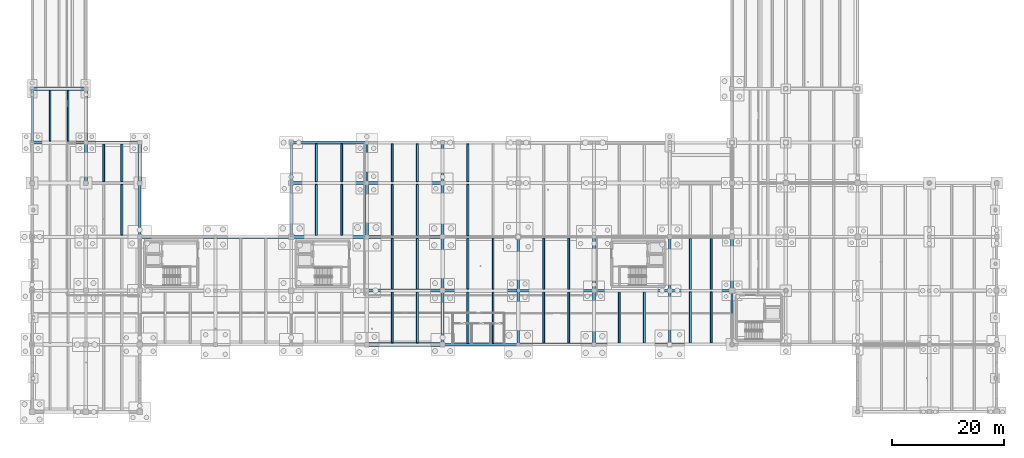
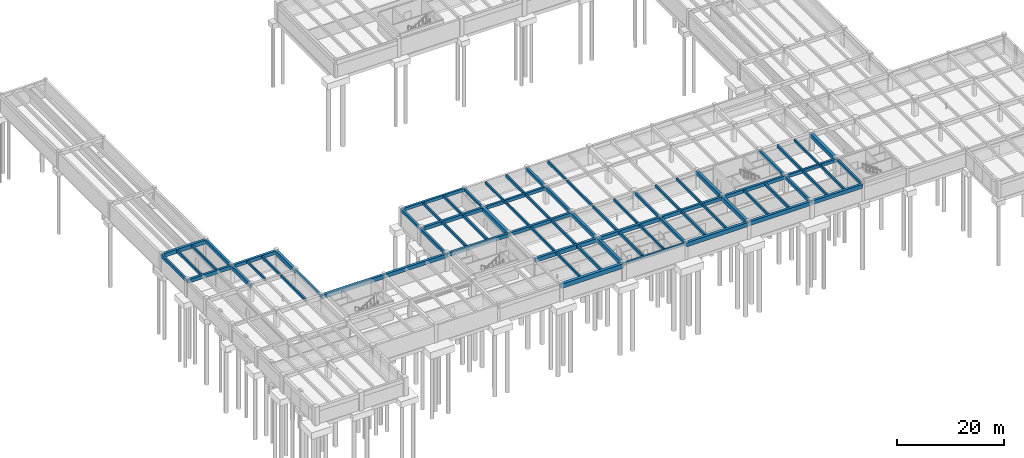
# One storey, part 10 of 41: 74 beams.
"""IFC4 building model written with IfcOpenShell, lengths in metres."""

from ifc_helpers import new_model, si_unit, direction, frame, origin, origin_2d, place, context, subcontext, project, spatial, rectangle, extrude, material, material_profile, profile_set, type_object, element, save


model = new_model("IFC4")

# Units and contexts
model_context = context("Model", 3, precision=1e-05, world=origin(), true_north=direction((0.0, 1.0)))
body_context = subcontext(model_context, "Body", "Model", "MODEL_VIEW")
ifc_project = project(units=[si_unit("LENGTHUNIT", "METRE"), si_unit("AREAUNIT", "SQUARE_METRE"), si_unit("VOLUMEUNIT", "CUBIC_METRE"), si_unit("PLANEANGLEUNIT", "RADIAN"), si_unit("MASSUNIT", "GRAM", prefix="KILO")], contexts=[model_context])

# Site, building, storey
site_placement = place(None, origin())
site = spatial("IfcSite", under=ifc_project, at=site_placement, CompositionType="ELEMENT")
building_placement = place(site_placement, origin())
building = spatial("IfcBuilding", under=site, at=building_placement, Name="Fikremerkos Civic Library", CompositionType="ELEMENT")
storey_placement = place(building_placement, frame((0.0, 0.0, -8.39990234375)))
storey = spatial("IfcBuildingStorey", under=building, at=storey_placement, Name="B02", CompositionType="ELEMENT", Elevation=-8.39990234375)

# Beams
ifc_material_1 = material(Name="Concrete C40/50", Category="concrete")
ifc_material_profile_1 = material_profile(ifc_material_1, rectangle(XDim=0.35009765625, YDim=0.60009765625, at=origin_2d()), Name="RC 350x600")
ifc_profile_set_1 = profile_set([ifc_material_profile_1], Name="Concrete C40/50")
beam_type_1 = type_object("IfcBeamType", Name="Floor joist JS-01 RC 350x600", PredefinedType="JOIST", material=ifc_profile_set_1)
beam_1_placement = place(storey_placement, frame((3.199951171875, 48.25, 3.599853515625), z_axis=(0.0, 1.0, 0.0), x_axis=(-1.0, 0.0, 0.0)))
element("IfcBeam", 1, at=beam_1_placement, inside=storey, type_object=beam_type_1, Name="Floor joist JS-01 B02 #11", PredefinedType="JOIST", context=body_context, shape_type="SweptSolid", body=[
    extrude(rectangle(XDim=0.35009765625, YDim=0.60009765625, at=origin_2d()), origin(), (0.0, 0.0, 1.0), 9.074951171875),
])
beam_2_placement = place(storey_placement, frame((16.0, 31.5, 3.559814453125), z_axis=(0.0, 1.0, 0.0), x_axis=(-1.0, 0.0, 0.0)))
element("IfcBeam", 2, at=beam_2_placement, inside=storey, type_object=beam_type_1, Name="Floor joist JS-01 B02 #29", PredefinedType="JOIST", context=body_context, shape_type="SweptSolid", body=[
    extrude(rectangle(XDim=0.35009765625, YDim=0.60009765625, at=origin_2d()), origin(), (0.0, 0.0, 1.0), 9.050048828125),
])
beam_3_placement = place(storey_placement, frame((16.0, 41.050048828125, 3.559814453125), z_axis=(0.0, 1.0, 0.0), x_axis=(-1.0, 0.0, 0.0)))
element("IfcBeam", 3, at=beam_3_placement, inside=storey, type_object=beam_type_1, Name="Floor joist JS-01 B02 #31", PredefinedType="JOIST", context=body_context, shape_type="SweptSolid", body=[
    extrude(rectangle(XDim=0.35009765625, YDim=0.60009765625, at=origin_2d()), origin(), (0.0, 0.0, 1.0), 6.699951171875),
])
beam_4_placement = place(storey_placement, frame((55.199951171875, 31.449951171875, 3.579833984375), z_axis=(0.0, 1.0, 0.0), x_axis=(-1.0, 0.0, 0.0)))
element("IfcBeam", 4, at=beam_4_placement, inside=storey, type_object=beam_type_1, Name="Floor joist JS-01 B02 #41", PredefinedType="JOIST", context=body_context, shape_type="SweptSolid", body=[
    extrude(rectangle(XDim=0.35009765625, YDim=0.60009765625, at=origin_2d()), origin(), (0.0, 0.0, 1.0), 9.10009765625),
])
beam_5_placement = place(storey_placement, frame((55.199951171875, 41.050048828125, 3.579833984375), z_axis=(0.0, 1.0, 0.0), x_axis=(-1.0, 0.0, 0.0)))
element("IfcBeam", 5, at=beam_5_placement, inside=storey, type_object=beam_type_1, Name="Floor joist JS-01 B02 #43", PredefinedType="JOIST", context=body_context, shape_type="SweptSolid", body=[
    extrude(rectangle(XDim=0.35009765625, YDim=0.60009765625, at=origin_2d()), origin(), (0.0, 0.0, 1.0), 6.724853515625),
])
beam_6_placement = place(storey_placement, frame((68.699951171875, 12.324951171875, 3.559814453125), z_axis=(0.0, 1.0, 0.0), x_axis=(-1.0, 0.0, 0.0)))
element("IfcBeam", 6, at=beam_6_placement, inside=storey, type_object=beam_type_1, Name="Floor joist JS-01 B02 #45", PredefinedType="JOIST", context=body_context, shape_type="SweptSolid", body=[
    extrude(rectangle(XDim=0.35009765625, YDim=0.60009765625, at=origin_2d()), origin(), (0.0, 0.0, 1.0), 9.0),
])
beam_7_placement = place(storey_placement, frame((68.699951171875, 21.875, 3.559814453125), z_axis=(0.0, 1.0, 0.0), x_axis=(-1.0, 0.0, 0.0)))
element("IfcBeam", 7, at=beam_7_placement, inside=storey, type_object=beam_type_1, Name="Floor joist JS-01 B02 #47", PredefinedType="JOIST", context=body_context, shape_type="SweptSolid", body=[
    extrude(rectangle(XDim=0.35009765625, YDim=0.60009765625, at=origin_2d()), origin(), (0.0, 0.0, 1.0), 9.074951171875),
])
beam_8_placement = place(storey_placement, frame((68.699951171875, 31.449951171875, 3.579833984375), z_axis=(0.0, 1.0, 0.0), x_axis=(-1.0, 0.0, 0.0)))
element("IfcBeam", 8, at=beam_8_placement, inside=storey, type_object=beam_type_1, Name="Floor joist JS-01 B02 #49", PredefinedType="JOIST", context=body_context, shape_type="SweptSolid", body=[
    extrude(rectangle(XDim=0.35009765625, YDim=0.60009765625, at=origin_2d()), origin(), (0.0, 0.0, 1.0), 9.125),
])
beam_9_placement = place(storey_placement, frame((68.699951171875, 41.02490234375, 3.579833984375), z_axis=(0.0, 1.0, 0.0), x_axis=(-1.0, 0.0, 0.0)))
element("IfcBeam", 9, at=beam_9_placement, inside=storey, type_object=beam_type_1, Name="Floor joist JS-01 B02 #51", PredefinedType="JOIST", context=body_context, shape_type="SweptSolid", body=[
    extrude(rectangle(XDim=0.35009765625, YDim=0.60009765625, at=origin_2d()), origin(), (0.0, 0.0, 1.0), 6.75),
])
beam_10_placement = place(storey_placement, frame((77.699951171875, 12.199951171875, 3.559814453125), z_axis=(0.0, 1.0, 0.0), x_axis=(-1.0, 0.0, 0.0)))
element("IfcBeam", 10, at=beam_10_placement, inside=storey, type_object=beam_type_1, Name="Floor joist JS-01 B02 #55", PredefinedType="JOIST", context=body_context, shape_type="SweptSolid", body=[
    extrude(rectangle(XDim=0.35009765625, YDim=0.60009765625, at=origin_2d()), origin(), (0.0, 0.0, 1.0), 9.125),
])
beam_11_placement = place(storey_placement, frame((77.699951171875, 21.875, 3.559814453125), z_axis=(0.0, 1.0, 0.0), x_axis=(-1.0, 0.0, 0.0)))
element("IfcBeam", 11, at=beam_11_placement, inside=storey, type_object=beam_type_1, Name="Floor joist JS-01 B02 #57", PredefinedType="JOIST", context=body_context, shape_type="SweptSolid", body=[
    extrude(rectangle(XDim=0.35009765625, YDim=0.60009765625, at=origin_2d()), origin(), (0.0, 0.0, 1.0), 9.10009765625),
])
beam_12_placement = place(storey_placement, frame((77.699951171875, 31.425048828125, 3.579833984375), z_axis=(0.0, 1.0, 0.0), x_axis=(-1.0, 0.0, 0.0)))
element("IfcBeam", 12, at=beam_12_placement, inside=storey, type_object=beam_type_1, Name="Floor joist JS-01 B02 #59", PredefinedType="JOIST", context=body_context, shape_type="SweptSolid", body=[
    extrude(rectangle(XDim=0.35009765625, YDim=0.60009765625, at=origin_2d()), origin(), (0.0, 0.0, 1.0), 9.14990234375),
])
beam_13_placement = place(storey_placement, frame((77.699951171875, 41.02490234375, 3.579833984375), z_axis=(0.0, 1.0, 0.0), x_axis=(-1.0, 0.0, 0.0)))
element("IfcBeam", 13, at=beam_13_placement, inside=storey, type_object=beam_type_1, Name="Floor joist JS-01 B02 #61", PredefinedType="JOIST", context=body_context, shape_type="SweptSolid", body=[
    extrude(rectangle(XDim=0.35009765625, YDim=0.60009765625, at=origin_2d()), origin(), (0.0, 0.0, 1.0), 6.775146484375),
])
beam_14_placement = place(storey_placement, frame((91.199951171875, 12.300048828125, 3.559814453125), z_axis=(0.0, 1.0, 0.0), x_axis=(-1.0, 0.0, 0.0)))
element("IfcBeam", 14, at=beam_14_placement, inside=storey, type_object=beam_type_1, Name="Floor joist JS-01 B02 #63", PredefinedType="JOIST", context=body_context, shape_type="SweptSolid", body=[
    extrude(rectangle(XDim=0.35009765625, YDim=0.60009765625, at=origin_2d()), origin(), (0.0, 0.0, 1.0), 9.050048828125),
])
beam_15_placement = place(storey_placement, frame((91.199951171875, 21.85009765625, 3.559814453125), z_axis=(0.0, 1.0, 0.0), x_axis=(-1.0, 0.0, 0.0)))
element("IfcBeam", 15, at=beam_15_placement, inside=storey, type_object=beam_type_1, Name="Floor joist JS-01 B02 #65", PredefinedType="JOIST", context=body_context, shape_type="SweptSolid", body=[
    extrude(rectangle(XDim=0.35009765625, YDim=0.60009765625, at=origin_2d()), origin(), (0.0, 0.0, 1.0), 9.125),
])
beam_16_placement = place(storey_placement, frame((109.199951171875, 12.27490234375, 3.559814453125), z_axis=(0.0, 1.0, 0.0), x_axis=(-1.0, 0.0, 0.0)))
element("IfcBeam", 16, at=beam_16_placement, inside=storey, type_object=beam_type_1, Name="Floor joist JS-01 B02 #75", PredefinedType="JOIST", context=body_context, shape_type="SweptSolid", body=[
    extrude(rectangle(XDim=0.35009765625, YDim=0.60009765625, at=origin_2d()), origin(), (0.0, 0.0, 1.0), 9.0751953125),
])
beam_17_placement = place(storey_placement, frame((117.39990234375, 12.27490234375, 3.559814453125), z_axis=(0.0, 1.0, 0.0), x_axis=(-1.0, 0.0, 0.0)))
element("IfcBeam", 17, at=beam_17_placement, inside=storey, type_object=beam_type_1, Name="Floor joist JS-01 B02 #83", PredefinedType="JOIST", context=body_context, shape_type="SweptSolid", body=[
    extrude(rectangle(XDim=0.35009765625, YDim=0.60009765625, at=origin_2d()), origin(), (0.0, 0.0, 1.0), 9.10009765625),
])
beam_18_placement = place(storey_placement, frame((117.39990234375, 21.824951171875, 3.559814453125), z_axis=(0.0, 1.0, 0.0), x_axis=(-1.0, 0.0, 0.0)))
element("IfcBeam", 18, at=beam_18_placement, inside=storey, type_object=beam_type_1, Name="Floor joist JS-01 B02 #85", PredefinedType="JOIST", context=body_context, shape_type="SweptSolid", body=[
    extrude(rectangle(XDim=0.35009765625, YDim=0.60009765625, at=origin_2d()), origin(), (0.0, 0.0, 1.0), 9.074951171875),
])
ifc_material_profile_2 = material_profile(ifc_material_1, rectangle(XDim=0.320068359375, YDim=0.550048828125, at=origin_2d()), Name="RC 320x550")
ifc_profile_set_2 = profile_set([ifc_material_profile_2], Name="Concrete C40/50")
beam_type_2 = type_object("IfcBeamType", Name="Floor joist JS-02 RC 320x550", PredefinedType="JOIST", material=ifc_profile_set_2)
beam_19_placement = place(storey_placement, frame((6.39990234375, 48.25, 3.625), z_axis=(0.0, 1.0, 0.0), x_axis=(-1.0, 0.0, 0.0)))
element("IfcBeam", 19, at=beam_19_placement, inside=storey, type_object=beam_type_2, Name="Floor joist JS-02 B02 #12", PredefinedType="JOIST", context=body_context, shape_type="SweptSolid", body=[
    extrude(rectangle(XDim=0.320068359375, YDim=0.550048828125, at=origin_2d()), origin(), (0.0, 0.0, 1.0), 9.074951171875),
])
beam_20_placement = place(storey_placement, frame((12.800048828125, 41.050048828125, 3.5849609375), z_axis=(0.0, 1.0, 0.0), x_axis=(-1.0, 0.0, 0.0)))
element("IfcBeam", 20, at=beam_20_placement, inside=storey, type_object=beam_type_2, Name="Floor joist JS-02 B02 #30", PredefinedType="JOIST", context=body_context, shape_type="SweptSolid", body=[
    extrude(rectangle(XDim=0.320068359375, YDim=0.550048828125, at=origin_2d()), origin(), (0.0, 0.0, 1.0), 6.699951171875),
])
beam_21_placement = place(storey_placement, frame((50.699951171875, 31.449951171875, 3.60498046875), z_axis=(0.0, 1.0, 0.0), x_axis=(-1.0, 0.0, 0.0)))
element("IfcBeam", 21, at=beam_21_placement, inside=storey, type_object=beam_type_2, Name="Floor joist JS-02 B02 #40", PredefinedType="JOIST", context=body_context, shape_type="SweptSolid", body=[
    extrude(rectangle(XDim=0.320068359375, YDim=0.550048828125, at=origin_2d()), origin(), (0.0, 0.0, 1.0), 9.10009765625),
])
beam_22_placement = place(storey_placement, frame((50.699951171875, 41.050048828125, 3.60498046875), z_axis=(0.0, 1.0, 0.0), x_axis=(-1.0, 0.0, 0.0)))
element("IfcBeam", 22, at=beam_22_placement, inside=storey, type_object=beam_type_2, Name="Floor joist JS-02 B02 #42", PredefinedType="JOIST", context=body_context, shape_type="SweptSolid", body=[
    extrude(rectangle(XDim=0.320068359375, YDim=0.550048828125, at=origin_2d()), origin(), (0.0, 0.0, 1.0), 6.724853515625),
])
beam_23_placement = place(storey_placement, frame((64.199951171875, 12.324951171875, 3.5849609375), z_axis=(0.0, 1.0, 0.0), x_axis=(-1.0, 0.0, 0.0)))
element("IfcBeam", 23, at=beam_23_placement, inside=storey, type_object=beam_type_2, Name="Floor joist JS-02 B02 #44", PredefinedType="JOIST", context=body_context, shape_type="SweptSolid", body=[
    extrude(rectangle(XDim=0.320068359375, YDim=0.550048828125, at=origin_2d()), origin(), (0.0, 0.0, 1.0), 9.0),
])
beam_24_placement = place(storey_placement, frame((64.199951171875, 21.875, 3.5849609375), z_axis=(0.0, 1.0, 0.0), x_axis=(-1.0, 0.0, 0.0)))
element("IfcBeam", 24, at=beam_24_placement, inside=storey, type_object=beam_type_2, Name="Floor joist JS-02 B02 #46", PredefinedType="JOIST", context=body_context, shape_type="SweptSolid", body=[
    extrude(rectangle(XDim=0.320068359375, YDim=0.550048828125, at=origin_2d()), origin(), (0.0, 0.0, 1.0), 9.074951171875),
])
beam_25_placement = place(storey_placement, frame((64.199951171875, 31.449951171875, 3.60498046875), z_axis=(0.0, 1.0, 0.0), x_axis=(-1.0, 0.0, 0.0)))
element("IfcBeam", 25, at=beam_25_placement, inside=storey, type_object=beam_type_2, Name="Floor joist JS-02 B02 #48", PredefinedType="JOIST", context=body_context, shape_type="SweptSolid", body=[
    extrude(rectangle(XDim=0.320068359375, YDim=0.550048828125, at=origin_2d()), origin(), (0.0, 0.0, 1.0), 9.125),
])
beam_26_placement = place(storey_placement, frame((64.199951171875, 41.02490234375, 3.60498046875), z_axis=(0.0, 1.0, 0.0), x_axis=(-1.0, 0.0, 0.0)))
element("IfcBeam", 26, at=beam_26_placement, inside=storey, type_object=beam_type_2, Name="Floor joist JS-02 B02 #50", PredefinedType="JOIST", context=body_context, shape_type="SweptSolid", body=[
    extrude(rectangle(XDim=0.320068359375, YDim=0.550048828125, at=origin_2d()), origin(), (0.0, 0.0, 1.0), 6.75),
])
beam_27_placement = place(storey_placement, frame((82.199951171875, 12.199951171875, 3.5849609375), z_axis=(0.0, 1.0, 0.0), x_axis=(-1.0, 0.0, 0.0)))
element("IfcBeam", 27, at=beam_27_placement, inside=storey, type_object=beam_type_2, Name="Floor joist JS-02 B02 #56", PredefinedType="JOIST", context=body_context, shape_type="SweptSolid", body=[
    extrude(rectangle(XDim=0.320068359375, YDim=0.550048828125, at=origin_2d()), origin(), (0.0, 0.0, 1.0), 9.125),
])
beam_28_placement = place(storey_placement, frame((82.199951171875, 21.875, 3.5849609375), z_axis=(0.0, 1.0, 0.0), x_axis=(-1.0, 0.0, 0.0)))
element("IfcBeam", 28, at=beam_28_placement, inside=storey, type_object=beam_type_2, Name="Floor joist JS-02 B02 #58", PredefinedType="JOIST", context=body_context, shape_type="SweptSolid", body=[
    extrude(rectangle(XDim=0.320068359375, YDim=0.550048828125, at=origin_2d()), origin(), (0.0, 0.0, 1.0), 9.10009765625),
])
beam_29_placement = place(storey_placement, frame((95.699951171875, 12.300048828125, 3.5849609375), z_axis=(0.0, 1.0, 0.0), x_axis=(-1.0, 0.0, 0.0)))
element("IfcBeam", 29, at=beam_29_placement, inside=storey, type_object=beam_type_2, Name="Floor joist JS-02 B02 #64", PredefinedType="JOIST", context=body_context, shape_type="SweptSolid", body=[
    extrude(rectangle(XDim=0.320068359375, YDim=0.550048828125, at=origin_2d()), origin(), (0.0, 0.0, 1.0), 9.050048828125),
])
beam_30_placement = place(storey_placement, frame((95.699951171875, 21.85009765625, 3.5849609375), z_axis=(0.0, 1.0, 0.0), x_axis=(-1.0, 0.0, 0.0)))
element("IfcBeam", 30, at=beam_30_placement, inside=storey, type_object=beam_type_2, Name="Floor joist JS-02 B02 #66", PredefinedType="JOIST", context=body_context, shape_type="SweptSolid", body=[
    extrude(rectangle(XDim=0.320068359375, YDim=0.550048828125, at=origin_2d()), origin(), (0.0, 0.0, 1.0), 9.125),
])
beam_31_placement = place(storey_placement, frame((104.699951171875, 12.27490234375, 3.5849609375), z_axis=(0.0, 1.0, 0.0), x_axis=(-1.0, 0.0, 0.0)))
element("IfcBeam", 31, at=beam_31_placement, inside=storey, type_object=beam_type_2, Name="Floor joist JS-02 B02 #74", PredefinedType="JOIST", context=body_context, shape_type="SweptSolid", body=[
    extrude(rectangle(XDim=0.320068359375, YDim=0.550048828125, at=origin_2d()), origin(), (0.0, 0.0, 1.0), 9.0751953125),
])
beam_32_placement = place(storey_placement, frame((121.10009765625, 12.27490234375, 3.5849609375), z_axis=(0.0, 1.0, 0.0), x_axis=(-1.0, 0.0, 0.0)))
element("IfcBeam", 32, at=beam_32_placement, inside=storey, type_object=beam_type_2, Name="Floor joist JS-02 B02 #84", PredefinedType="JOIST", context=body_context, shape_type="SweptSolid", body=[
    extrude(rectangle(XDim=0.320068359375, YDim=0.550048828125, at=origin_2d()), origin(), (0.0, 0.0, 1.0), 9.10009765625),
])
beam_33_placement = place(storey_placement, frame((121.10009765625, 21.824951171875, 3.5849609375), z_axis=(0.0, 1.0, 0.0), x_axis=(-1.0, 0.0, 0.0)))
element("IfcBeam", 33, at=beam_33_placement, inside=storey, type_object=beam_type_2, Name="Floor joist JS-02 B02 #86", PredefinedType="JOIST", context=body_context, shape_type="SweptSolid", body=[
    extrude(rectangle(XDim=0.320068359375, YDim=0.550048828125, at=origin_2d()), origin(), (0.0, 0.0, 1.0), 9.074951171875),
])
ifc_material_profile_3 = material_profile(ifc_material_1, rectangle(XDim=0.60009765625, YDim=0.949951171875, at=origin_2d()), Name="RC 600x950")
ifc_profile_set_3 = profile_set([ifc_material_profile_3], Name="Concrete C40/50")
beam_type_3 = type_object("IfcBeamType", Name="Primary girder BM-01 RC 600x950", PredefinedType="BEAM", material=ifc_profile_set_3)
beam_34_placement = place(storey_placement, frame((86.699951171875, 12.0, 3.385009765625), z_axis=(1.0, 0.0, 0.0), x_axis=(0.0, 1.0, 0.0)))
element("IfcBeam", 34, at=beam_34_placement, inside=storey, type_object=beam_type_3, Name="Primary girder BM-01 B02 grid E", PredefinedType="BEAM", context=body_context, shape_type="SweptSolid", body=[
    extrude(rectangle(XDim=0.60009765625, YDim=0.949951171875, at=origin_2d()), origin(), (0.0, 0.0, 1.0), 13.5),
])
beam_35_placement = place(storey_placement, frame((19.199951171875, 40.800048828125, 3.385009765625), z_axis=(0.0, 1.0, 0.0), x_axis=(-1.0, 0.0, 0.0)))
element("IfcBeam", 35, at=beam_35_placement, inside=storey, type_object=beam_type_3, Name="Primary girder BM-01 B02 grid 3", PredefinedType="BEAM", context=body_context, shape_type="SweptSolid", body=[
    extrude(rectangle(XDim=0.60009765625, YDim=0.949951171875, at=origin_2d()), origin(), (0.0, 0.0, 1.0), 7.199951171875),
])
beam_36_placement = place(storey_placement, frame((100.199951171875, 12.0, 3.385009765625), z_axis=(0.0, 1.0, 0.0), x_axis=(-1.0, 0.0, 0.0)))
element("IfcBeam", 36, at=beam_36_placement, inside=storey, type_object=beam_type_3, Name="Primary girder BM-01 B02 grid 9", PredefinedType="BEAM", context=body_context, shape_type="SweptSolid", body=[
    extrude(rectangle(XDim=0.60009765625, YDim=0.949951171875, at=origin_2d()), origin(), (0.0, 0.0, 1.0), 9.60009765625),
])
beam_37_placement = place(storey_placement, frame((124.800048828125, 21.60009765625, 3.385009765625), z_axis=(0.0, 1.0, 0.0), x_axis=(-1.0, 0.0, 0.0)))
element("IfcBeam", 37, at=beam_37_placement, inside=storey, type_object=beam_type_3, Name="Primary girder BM-01 B02 grid 11", PredefinedType="BEAM", context=body_context, shape_type="SweptSolid", body=[
    extrude(rectangle(XDim=0.60009765625, YDim=0.949951171875, at=origin_2d()), origin(), (0.0, 0.0, 1.0), 9.599853515625),
])
ifc_material_profile_4 = material_profile(ifc_material_1, rectangle(XDim=0.550048828125, YDim=0.89990234375, at=origin_2d()), Name="RC 550x900")
ifc_profile_set_4 = profile_set([ifc_material_profile_4], Name="Concrete C40/50")
beam_type_4 = type_object("IfcBeamType", Name="Primary girder BM-02 RC 550x900", PredefinedType="BEAM", material=ifc_profile_set_4)
for number, where, z_axis, x_axis, name in (
    (38, (100.199951171875, 12.0, 3.409912109375), (1.0, 0.0, 0.0), (0.0, 1.0, 0.0), "Primary girder BM-02 B02 grid E"),
    (39, (59.699951171875, 21.60009765625, 3.409912109375), (1.0, 0.0, 0.0), (0.0, 1.0, 0.0), "Primary girder BM-02 B02 grid F"),
    (40, (19.199951171875, 31.199951171875, 3.409912109375), (1.0, 0.0, 0.0), (0.0, 1.0, 0.0), "Primary girder BM-02 B02 grid G"),
):
    element("IfcBeam", number, at=place(storey_placement, frame(where, z_axis=z_axis, x_axis=x_axis)), inside=storey, type_object=beam_type_4, Name=name, PredefinedType="BEAM", context=body_context, shape_type="SweptSolid", body=[
        extrude(rectangle(XDim=0.550048828125, YDim=0.89990234375, at=origin_2d()), origin(), (0.0, 0.0, 1.0), 13.5),
    ])
beam_38_placement = place(storey_placement, frame((73.199951171875, 12.0, 3.409912109375), z_axis=(0.0, 1.0, 0.0), x_axis=(-1.0, 0.0, 0.0)))
element("IfcBeam", 41, at=beam_38_placement, inside=storey, type_object=beam_type_4, Name="Primary girder BM-02 B02 grid 7", PredefinedType="BEAM", context=body_context, shape_type="SweptSolid", body=[
    extrude(rectangle(XDim=0.550048828125, YDim=0.89990234375, at=origin_2d()), origin(), (0.0, 0.0, 1.0), 9.60009765625),
])
beam_39_placement = place(storey_placement, frame((100.199951171875, 21.60009765625, 3.409912109375), z_axis=(0.0, 1.0, 0.0), x_axis=(-1.0, 0.0, 0.0)))
element("IfcBeam", 42, at=beam_39_placement, inside=storey, type_object=beam_type_4, Name="Primary girder BM-02 B02 grid 9", PredefinedType="BEAM", context=body_context, shape_type="SweptSolid", body=[
    extrude(rectangle(XDim=0.550048828125, YDim=0.89990234375, at=origin_2d()), origin(), (0.0, 0.0, 1.0), 9.599853515625),
])
ifc_material_profile_5 = material_profile(ifc_material_1, rectangle(XDim=0.550048828125, YDim=0.85009765625, at=origin_2d()), Name="RC 550x850")
ifc_profile_set_5 = profile_set([ifc_material_profile_5], Name="Concrete C40/50")
beam_type_5 = type_object("IfcBeamType", Name="Primary girder BM-03 RC 550x850", PredefinedType="BEAM", material=ifc_profile_set_5)
beam_40_placement = place(storey_placement, frame((113.699951171875, 12.0, 3.434814453125), z_axis=(1.0, 0.0, 0.0), x_axis=(0.0, 1.0, 0.0)))
element("IfcBeam", 43, at=beam_40_placement, inside=storey, type_object=beam_type_5, Name="Primary girder BM-03 B02 grid E", PredefinedType="BEAM", context=body_context, shape_type="SweptSolid", body=[
    extrude(rectangle(XDim=0.550048828125, YDim=0.85009765625, at=origin_2d()), origin(), (0.0, 0.0, 1.0), 11.10009765625),
])
for number, where, z_axis, x_axis, name in (
    (44, (73.199951171875, 21.60009765625, 3.434814453125), (1.0, 0.0, 0.0), (0.0, 1.0, 0.0), "Primary girder BM-03 B02 grid F"),
    (45, (32.699951171875, 31.199951171875, 3.434814453125), (1.0, 0.0, 0.0), (0.0, 1.0, 0.0), "Primary girder BM-03 B02 grid G"),
):
    element("IfcBeam", number, at=place(storey_placement, frame(where, z_axis=z_axis, x_axis=x_axis)), inside=storey, type_object=beam_type_5, Name=name, PredefinedType="BEAM", context=body_context, shape_type="SweptSolid", body=[
        extrude(rectangle(XDim=0.550048828125, YDim=0.85009765625, at=origin_2d()), origin(), (0.0, 0.0, 1.0), 13.5),
    ])
beam_41_placement = place(storey_placement, frame((0.0, 57.60009765625, 3.474853515625), z_axis=(1.0, 0.0, 0.0), x_axis=(0.0, 1.0, 0.0)))
element("IfcBeam", 46, at=beam_41_placement, inside=storey, type_object=beam_type_5, Name="Primary girder BM-03 B02 grid K", PredefinedType="BEAM", context=body_context, shape_type="SweptSolid", body=[
    extrude(rectangle(XDim=0.550048828125, YDim=0.85009765625, at=origin_2d()), origin(), (0.0, 0.0, 1.0), 9.60009765625),
])
beam_42_placement = place(storey_placement, frame((9.60009765625, 40.800048828125, 3.434814453125), z_axis=(0.0, 1.0, 0.0), x_axis=(-1.0, 0.0, 0.0)))
element("IfcBeam", 47, at=beam_42_placement, inside=storey, type_object=beam_type_5, Name="Primary girder BM-03 B02 grid 2", PredefinedType="BEAM", context=body_context, shape_type="SweptSolid", body=[
    extrude(rectangle(XDim=0.550048828125, YDim=0.85009765625, at=origin_2d()), origin(), (0.0, 0.0, 1.0), 7.199951171875),
])
beam_43_placement = place(storey_placement, frame((73.199951171875, 21.60009765625, 3.434814453125), z_axis=(0.0, 1.0, 0.0), x_axis=(-1.0, 0.0, 0.0)))
element("IfcBeam", 48, at=beam_43_placement, inside=storey, type_object=beam_type_5, Name="Primary girder BM-03 B02 grid 7", PredefinedType="BEAM", context=body_context, shape_type="SweptSolid", body=[
    extrude(rectangle(XDim=0.550048828125, YDim=0.85009765625, at=origin_2d()), origin(), (0.0, 0.0, 1.0), 9.599853515625),
])
ifc_material_profile_6 = material_profile(ifc_material_1, rectangle(XDim=0.5, YDim=0.800048828125, at=origin_2d()), Name="RC 500x800")
ifc_profile_set_6 = profile_set([ifc_material_profile_6], Name="Concrete C40/50")
beam_type_6 = type_object("IfcBeamType", Name="Primary girder BM-04 RC 500x800", PredefinedType="BEAM", material=ifc_profile_set_6)
for number, where, z_axis, x_axis, name in (
    (49, (86.699951171875, 21.60009765625, 3.4599609375), (1.0, 0.0, 0.0), (0.0, 1.0, 0.0), "Primary girder BM-04 B02 grid F"),
    (50, (46.199951171875, 31.199951171875, 3.4599609375), (1.0, 0.0, 0.0), (0.0, 1.0, 0.0), "Primary girder BM-04 B02 grid G"),
):
    element("IfcBeam", number, at=place(storey_placement, frame(where, z_axis=z_axis, x_axis=x_axis)), inside=storey, type_object=beam_type_6, Name=name, PredefinedType="BEAM", context=body_context, shape_type="SweptSolid", body=[
        extrude(rectangle(XDim=0.5, YDim=0.800048828125, at=origin_2d()), origin(), (0.0, 0.0, 1.0), 13.5),
    ])
for number, where, z_axis, x_axis, name in (
    (51, (0.0, 48.0, 3.4599609375), (1.0, 0.0, 0.0), (0.0, 1.0, 0.0), "Primary girder BM-04 B02 grid J"),
    (52, (9.60009765625, 48.0, 3.5), (0.0, 1.0, 0.0), (-1.0, 0.0, 0.0), "Primary girder BM-04 B02 grid 2"),
    (53, (73.199951171875, 31.199951171875, 3.47998046875), (0.0, 1.0, 0.0), (-1.0, 0.0, 0.0), "Primary girder BM-04 B02 grid 7"),
):
    element("IfcBeam", number, at=place(storey_placement, frame(where, z_axis=z_axis, x_axis=x_axis)), inside=storey, type_object=beam_type_6, Name=name, PredefinedType="BEAM", context=body_context, shape_type="SweptSolid", body=[
        extrude(rectangle(XDim=0.5, YDim=0.800048828125, at=origin_2d()), origin(), (0.0, 0.0, 1.0), 9.60009765625),
    ])
ifc_material_profile_7 = material_profile(ifc_material_1, rectangle(XDim=0.5, YDim=0.75, at=origin_2d()), Name="RC 500x750")
ifc_profile_set_7 = profile_set([ifc_material_profile_7], Name="Concrete C40/50")
beam_type_7 = type_object("IfcBeamType", Name="Primary girder BM-05 RC 500x750", PredefinedType="BEAM", material=ifc_profile_set_7)
for number, where, z_axis, x_axis, name in (
    (54, (100.199951171875, 21.60009765625, 3.48486328125), (1.0, 0.0, 0.0), (0.0, 1.0, 0.0), "Primary girder BM-05 B02 grid F"),
    (55, (59.699951171875, 31.199951171875, 3.48486328125), (1.0, 0.0, 0.0), (0.0, 1.0, 0.0), "Primary girder BM-05 B02 grid G"),
    (56, (46.199951171875, 40.800048828125, 3.5048828125), (1.0, 0.0, 0.0), (0.0, 1.0, 0.0), "Primary girder BM-05 B02 grid H"),
):
    element("IfcBeam", number, at=place(storey_placement, frame(where, z_axis=z_axis, x_axis=x_axis)), inside=storey, type_object=beam_type_7, Name=name, PredefinedType="BEAM", context=body_context, shape_type="SweptSolid", body=[
        extrude(rectangle(XDim=0.5, YDim=0.75, at=origin_2d()), origin(), (0.0, 0.0, 1.0), 13.5),
    ])
beam_44_placement = place(storey_placement, frame((9.60009765625, 48.0, 3.48486328125), z_axis=(1.0, 0.0, 0.0), x_axis=(0.0, 1.0, 0.0)))
element("IfcBeam", 57, at=beam_44_placement, inside=storey, type_object=beam_type_7, Name="Primary girder BM-05 B02 grid J", PredefinedType="BEAM", context=body_context, shape_type="SweptSolid", body=[
    extrude(rectangle(XDim=0.5, YDim=0.75, at=origin_2d()), origin(), (0.0, 0.0, 1.0), 9.599853515625),
])
beam_45_placement = place(storey_placement, frame((73.199951171875, 40.800048828125, 3.5048828125), z_axis=(0.0, 1.0, 0.0), x_axis=(-1.0, 0.0, 0.0)))
element("IfcBeam", 58, at=beam_45_placement, inside=storey, type_object=beam_type_7, Name="Primary girder BM-05 B02 grid 7", PredefinedType="BEAM", context=body_context, shape_type="SweptSolid", body=[
    extrude(rectangle(XDim=0.5, YDim=0.75, at=origin_2d()), origin(), (0.0, 0.0, 1.0), 7.199951171875),
])
ifc_material_profile_8 = material_profile(ifc_material_1, rectangle(XDim=0.449951171875, YDim=0.699951171875, at=origin_2d()), Name="RC 450x700")
ifc_profile_set_8 = profile_set([ifc_material_profile_8], Name="Concrete C40/50")
beam_type_8 = type_object("IfcBeamType", Name="Primary girder BM-06 RC 450x700", PredefinedType="BEAM", material=ifc_profile_set_8)
beam_46_placement = place(storey_placement, frame((113.699951171875, 21.60009765625, 3.510009765625), z_axis=(1.0, 0.0, 0.0), x_axis=(0.0, 1.0, 0.0)))
element("IfcBeam", 59, at=beam_46_placement, inside=storey, type_object=beam_type_8, Name="Primary girder BM-06 B02 grid F", PredefinedType="BEAM", context=body_context, shape_type="SweptSolid", body=[
    extrude(rectangle(XDim=0.449951171875, YDim=0.699951171875, at=origin_2d()), origin(), (0.0, 0.0, 1.0), 11.10009765625),
])
for number, where, z_axis, x_axis, name in (
    (60, (59.699951171875, 40.800048828125, 3.52978515625), (1.0, 0.0, 0.0), (0.0, 1.0, 0.0), "Primary girder BM-06 B02 grid H"),
    (61, (46.199951171875, 48.0, 3.52978515625), (1.0, 0.0, 0.0), (0.0, 1.0, 0.0), "Primary girder BM-06 B02 grid J"),
):
    element("IfcBeam", number, at=place(storey_placement, frame(where, z_axis=z_axis, x_axis=x_axis)), inside=storey, type_object=beam_type_8, Name=name, PredefinedType="BEAM", context=body_context, shape_type="SweptSolid", body=[
        extrude(rectangle(XDim=0.449951171875, YDim=0.699951171875, at=origin_2d()), origin(), (0.0, 0.0, 1.0), 13.5),
    ])
for number, where, z_axis, x_axis, name in (
    (62, (0.0, 48.0, 3.5498046875), (0.0, 1.0, 0.0), (-1.0, 0.0, 0.0), "Primary girder BM-06 B02 grid 1"),
    (63, (46.199951171875, 31.199951171875, 3.52978515625), (0.0, 1.0, 0.0), (-1.0, 0.0, 0.0), "Primary girder BM-06 B02 grid 5"),
    (64, (113.699951171875, 12.0, 3.510009765625), (0.0, 1.0, 0.0), (-1.0, 0.0, 0.0), "Primary girder BM-06 B02 grid 10"),
):
    element("IfcBeam", number, at=place(storey_placement, frame(where, z_axis=z_axis, x_axis=x_axis)), inside=storey, type_object=beam_type_8, Name=name, PredefinedType="BEAM", context=body_context, shape_type="SweptSolid", body=[
        extrude(rectangle(XDim=0.449951171875, YDim=0.699951171875, at=origin_2d()), origin(), (0.0, 0.0, 1.0), 9.60009765625),
    ])
ifc_material_profile_9 = material_profile(ifc_material_1, rectangle(XDim=0.449951171875, YDim=0.64990234375, at=origin_2d()), Name="RC 450x650")
ifc_profile_set_9 = profile_set([ifc_material_profile_9], Name="Concrete C40/50")
beam_type_9 = type_object("IfcBeamType", Name="Primary girder BM-07 RC 450x650", PredefinedType="BEAM", material=ifc_profile_set_9)
beam_47_placement = place(storey_placement, frame((46.199951171875, 40.800048828125, 3.554931640625), z_axis=(0.0, 1.0, 0.0), x_axis=(-1.0, 0.0, 0.0)))
element("IfcBeam", 65, at=beam_47_placement, inside=storey, type_object=beam_type_9, Name="Primary girder BM-07 B02 grid 5", PredefinedType="BEAM", context=body_context, shape_type="SweptSolid", body=[
    extrude(rectangle(XDim=0.449951171875, YDim=0.64990234375, at=origin_2d()), origin(), (0.0, 0.0, 1.0), 7.199951171875),
])
beam_48_placement = place(storey_placement, frame((86.699951171875, 12.0, 3.534912109375), z_axis=(0.0, 1.0, 0.0), x_axis=(-1.0, 0.0, 0.0)))
element("IfcBeam", 66, at=beam_48_placement, inside=storey, type_object=beam_type_9, Name="Primary girder BM-07 B02 grid 8", PredefinedType="BEAM", context=body_context, shape_type="SweptSolid", body=[
    extrude(rectangle(XDim=0.449951171875, YDim=0.64990234375, at=origin_2d()), origin(), (0.0, 0.0, 1.0), 9.60009765625),
])
beam_49_placement = place(storey_placement, frame((113.699951171875, 21.60009765625, 3.534912109375), z_axis=(0.0, 1.0, 0.0), x_axis=(-1.0, 0.0, 0.0)))
element("IfcBeam", 67, at=beam_49_placement, inside=storey, type_object=beam_type_9, Name="Primary girder BM-07 B02 grid 10", PredefinedType="BEAM", context=body_context, shape_type="SweptSolid", body=[
    extrude(rectangle(XDim=0.449951171875, YDim=0.64990234375, at=origin_2d()), origin(), (0.0, 0.0, 1.0), 9.599853515625),
])
ifc_material_profile_10 = material_profile(ifc_material_1, rectangle(XDim=0.39990234375, YDim=0.60009765625, at=origin_2d()), Name="RC 400x600")
ifc_profile_set_10 = profile_set([ifc_material_profile_10], Name="Concrete C40/50")
beam_type_10 = type_object("IfcBeamType", Name="Primary girder BM-08 RC 400x600", PredefinedType="BEAM", material=ifc_profile_set_10)
beam_50_placement = place(storey_placement, frame((86.699951171875, 21.60009765625, 3.559814453125), z_axis=(0.0, 1.0, 0.0), x_axis=(-1.0, 0.0, 0.0)))
element("IfcBeam", 68, at=beam_50_placement, inside=storey, type_object=beam_type_10, Name="Primary girder BM-08 B02 grid 8", PredefinedType="BEAM", context=body_context, shape_type="SweptSolid", body=[
    extrude(rectangle(XDim=0.39990234375, YDim=0.60009765625, at=origin_2d()), origin(), (0.0, 0.0, 1.0), 9.599853515625),
])
ifc_material_2 = material(Name="Concrete C45/55", Category="concrete")
ifc_material_profile_11 = material_profile(ifc_material_2, rectangle(XDim=0.64990234375, YDim=1.0, at=origin_2d()), Name="RC 650x1000")
ifc_profile_set_11 = profile_set([ifc_material_profile_11], Name="Concrete C45/55")
beam_type_11 = type_object("IfcBeamType", Name="Primary girder BM-25 RC 650x1000", PredefinedType="BEAM", material=ifc_profile_set_11)
beam_51_placement = place(storey_placement, frame((59.699951171875, 12.0, 3.35986328125), z_axis=(1.0, 0.0, 0.0), x_axis=(0.0, 1.0, 0.0)))
element("IfcBeam", 69, at=beam_51_placement, inside=storey, type_object=beam_type_11, Name="Primary girder BM-25 B02 grid E", PredefinedType="BEAM", context=body_context, shape_type="SweptSolid", body=[
    extrude(rectangle(XDim=0.64990234375, YDim=1.0, at=origin_2d()), origin(), (0.0, 0.0, 1.0), 13.5),
])
beam_52_placement = place(storey_placement, frame((59.699951171875, 31.199951171875, 3.3798828125), z_axis=(0.0, 1.0, 0.0), x_axis=(-1.0, 0.0, 0.0)))
element("IfcBeam", 70, at=beam_52_placement, inside=storey, type_object=beam_type_11, Name="Primary girder BM-25 B02 grid 6", PredefinedType="BEAM", context=body_context, shape_type="SweptSolid", body=[
    extrude(rectangle(XDim=0.64990234375, YDim=1.0, at=origin_2d()), origin(), (0.0, 0.0, 1.0), 9.60009765625),
])
ifc_material_profile_12 = material_profile(ifc_material_1, rectangle(XDim=0.39990234375, YDim=0.550048828125, at=origin_2d()), Name="RC 400x550")
ifc_profile_set_12 = profile_set([ifc_material_profile_12], Name="Concrete C40/50")
beam_type_12 = type_object("IfcBeamType", Name="Primary girder BM-26 RC 400x550", PredefinedType="BEAM", material=ifc_profile_set_12)
beam_53_placement = place(storey_placement, frame((73.199951171875, 12.0, 3.5849609375), z_axis=(1.0, 0.0, 0.0), x_axis=(0.0, 1.0, 0.0)))
element("IfcBeam", 71, at=beam_53_placement, inside=storey, type_object=beam_type_12, Name="Primary girder BM-26 B02 grid E", PredefinedType="BEAM", context=body_context, shape_type="SweptSolid", body=[
    extrude(rectangle(XDim=0.39990234375, YDim=0.550048828125, at=origin_2d()), origin(), (0.0, 0.0, 1.0), 13.5),
])
beam_54_placement = place(storey_placement, frame((19.199951171875, 31.199951171875, 3.5849609375), z_axis=(0.0, 1.0, 0.0), x_axis=(-1.0, 0.0, 0.0)))
element("IfcBeam", 72, at=beam_54_placement, inside=storey, type_object=beam_type_12, Name="Primary girder BM-26 B02 grid 3", PredefinedType="BEAM", context=body_context, shape_type="SweptSolid", body=[
    extrude(rectangle(XDim=0.39990234375, YDim=0.550048828125, at=origin_2d()), origin(), (0.0, 0.0, 1.0), 9.60009765625),
])
beam_55_placement = place(storey_placement, frame((59.699951171875, 40.800048828125, 3.60498046875), z_axis=(0.0, 1.0, 0.0), x_axis=(-1.0, 0.0, 0.0)))
element("IfcBeam", 73, at=beam_55_placement, inside=storey, type_object=beam_type_12, Name="Primary girder BM-26 B02 grid 6", PredefinedType="BEAM", context=body_context, shape_type="SweptSolid", body=[
    extrude(rectangle(XDim=0.39990234375, YDim=0.550048828125, at=origin_2d()), origin(), (0.0, 0.0, 1.0), 7.199951171875),
])
beam_56_placement = place(storey_placement, frame((124.800048828125, 12.0, 3.5849609375), z_axis=(0.0, 1.0, 0.0), x_axis=(-1.0, 0.0, 0.0)))
element("IfcBeam", 74, at=beam_56_placement, inside=storey, type_object=beam_type_12, Name="Primary girder BM-26 B02 grid 11", PredefinedType="BEAM", context=body_context, shape_type="SweptSolid", body=[
    extrude(rectangle(XDim=0.39990234375, YDim=0.550048828125, at=origin_2d()), origin(), (0.0, 0.0, 1.0), 9.60009765625),
])

save(model, "model.ifc")
